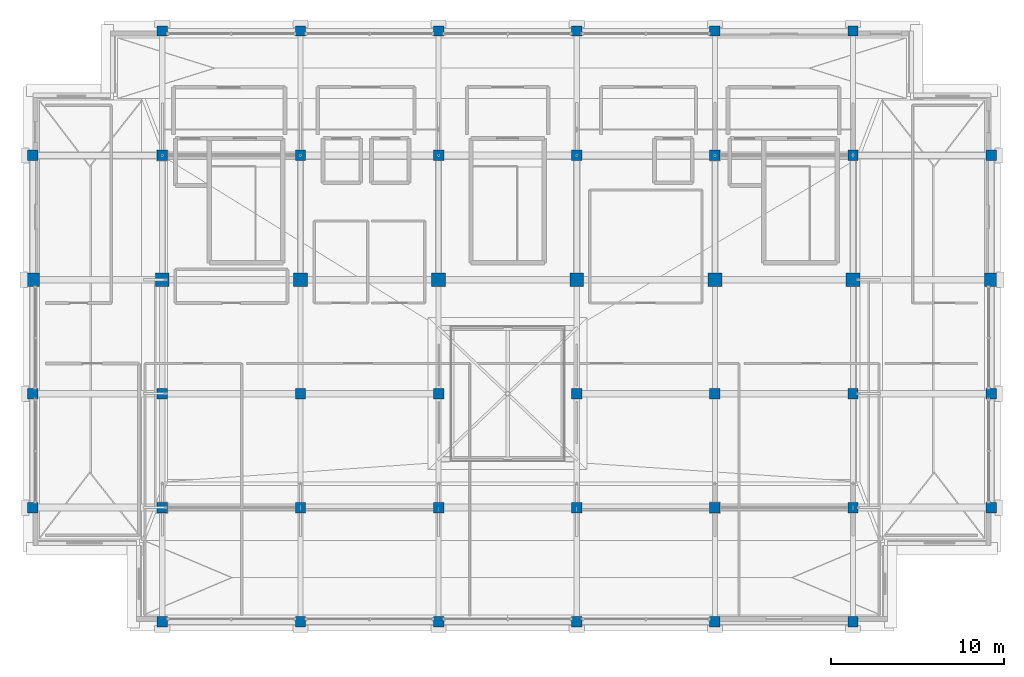
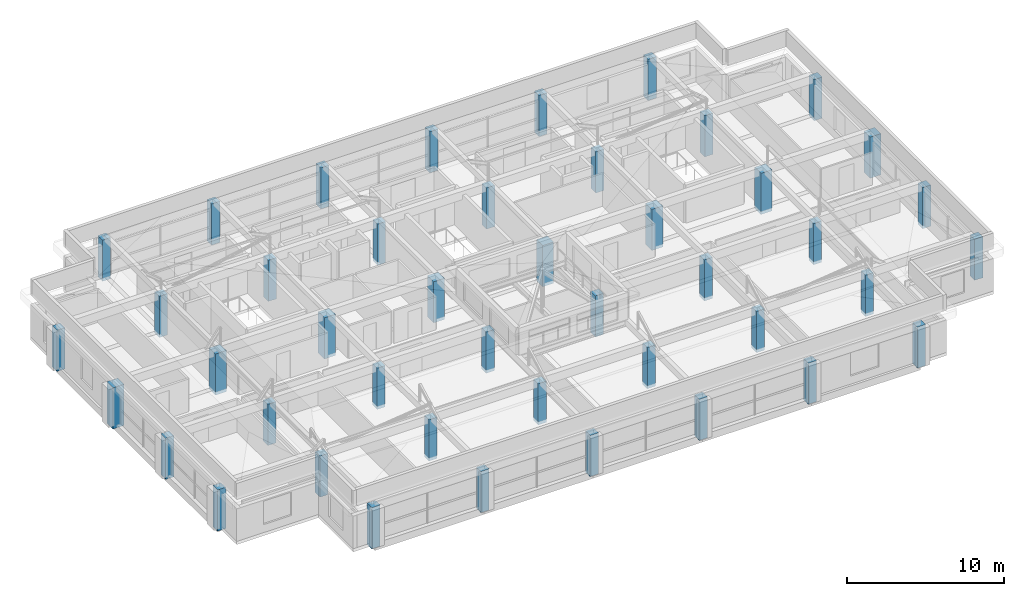
# One storey, part 1 of 39: 44 columns.
"""IFC4 building model written with IfcOpenShell, lengths in metres."""

from ifc_helpers import new_model, si_unit, direction, frame, origin, origin_2d, place, context, subcontext, project, spatial, rectangle, extrude, material, material_profile, profile_set, type_object, element, save


model = new_model("IFC4")

# Units and contexts
model_context = context("Model", 3, precision=1e-05, world=origin(), true_north=direction((0.0, 1.0)))
body_context = subcontext(model_context, "Body", "Model", "MODEL_VIEW")
ifc_project = project(units=[si_unit("LENGTHUNIT", "METRE"), si_unit("AREAUNIT", "SQUARE_METRE"), si_unit("VOLUMEUNIT", "CUBIC_METRE"), si_unit("PLANEANGLEUNIT", "RADIAN"), si_unit("MASSUNIT", "GRAM", prefix="KILO")], contexts=[model_context])

# Site, building, storey
site_placement = place(None, origin())
site = spatial("IfcSite", under=ifc_project, at=site_placement, CompositionType="ELEMENT")
building_placement = place(site_placement, origin())
building = spatial("IfcBuilding", under=site, at=building_placement, Name="Akrevak Sports Hall", CompositionType="ELEMENT")
storey_placement = place(building_placement, frame((0.0, 0.0, 66.550048828125)))
storey = spatial("IfcBuildingStorey", under=building, at=storey_placement, Name="L17", CompositionType="ELEMENT", Elevation=66.550048828125)

# Columns
ifc_material = material(Name="Concrete C40/50", Category="concrete")
ifc_material_profile_1 = material_profile(ifc_material, rectangle(XDim=0.60009765625, YDim=0.60009765625, at=origin_2d()), Name="RC 600x600", Category="concrete")
ifc_profile_set_1 = profile_set([ifc_material_profile_1], Name="Concrete C40/50")
column_type_1 = type_object("IfcColumnType", Name="STR-COL-RC600", PredefinedType="COLUMN", material=ifc_profile_set_1)
for number, where, z_axis, x_axis, name in (
    (1, (52.5, 42.0, -0.239990234375), (0.0, 0.0, 1.0), (1.0, 0.0, 0.0), "Column 8/G (L17)"),
    (2, (52.5, 48.60009765625, -0.239990234375), (0.0, 0.0, 1.0), (1.0, 0.0, 0.0), "Column 8/H (L17)"),
    (3, (52.5, 62.39990234375, -0.239990234375), (0.0, 0.0, 1.0), (1.0, 0.0, 0.0), "Column 8/J (L17)"),
    (4, (60.0, 35.39990234375, -0.239990234375), (0.0, 0.0, 1.0), (1.0, 0.0, 0.0), "Column 9/F (L17)"),
    (5, (60.0, 42.0, -0.239990234375), (0.0, 0.0, 1.0), (1.0, 0.0, 0.0), "Column 9/G (L17)"),
    (6, (60.0, 48.60009765625, -0.239990234375), (0.0, 0.0, 1.0), (1.0, 0.0, 0.0), "Column 9/H (L17)"),
    (7, (60.0, 62.39990234375, -0.239990234375), (0.0, 0.0, 1.0), (1.0, 0.0, 0.0), "Column 9/J (L17)"),
    (8, (60.0, 69.60009765625, -0.239990234375), (0.0, 0.0, 1.0), (1.0, 0.0, 0.0), "Column 9/K (L17)"),
    (9, (68.0, 35.39990234375, -0.239990234375), (0.0, 0.0, 1.0), (1.0, 0.0, 0.0), "Column 10/F (L17)"),
    (10, (68.0, 42.0, -0.239990234375), (0.0, 0.0, 1.0), (1.0, 0.0, 0.0), "Column 10/G (L17)"),
    (11, (68.0, 48.60009765625, -0.239990234375), (0.0, 0.0, 1.0), (1.0, 0.0, 0.0), "Column 10/H (L17)"),
    (12, (68.0, 62.39990234375, -0.239990234375), (0.0, 0.0, 1.0), (1.0, 0.0, 0.0), "Column 10/J (L17)"),
    (13, (68.0, 69.60009765625, -0.239990234375), (0.0, 0.0, 1.0), (1.0, 0.0, 0.0), "Column 10/K (L17)"),
    (14, (76.0, 35.39990234375, -0.239990234375), (0.0, 0.0, 1.0), (1.0, 0.0, 0.0), "Column 11/F (L17)"),
    (15, (76.0, 42.0, -0.239990234375), (0.0, 0.0, 1.0), (1.0, 0.0, 0.0), "Column 11/G (L17)"),
    (16, (76.0, 48.60009765625, -0.239990234375), (0.0, 0.0, 1.0), (1.0, 0.0, 0.0), "Column 11/H (L17)"),
    (17, (76.0, 62.39990234375, -0.239990234375), (0.0, 0.0, 1.0), (1.0, 0.0, 0.0), "Column 11/J (L17)"),
    (18, (76.0, 69.60009765625, -0.239990234375), (0.0, 0.0, 1.0), (1.0, 0.0, 0.0), "Column 11/K (L17)"),
    (19, (84.0, 35.39990234375, -0.239990234375), (0.0, 0.0, 1.0), (1.0, 0.0, 0.0), "Column 12/F (L17)"),
    (20, (84.0, 42.0, -0.239990234375), (0.0, 0.0, 1.0), (1.0, 0.0, 0.0), "Column 12/G (L17)"),
    (21, (84.0, 48.60009765625, -0.239990234375), (0.0, 0.0, 1.0), (1.0, 0.0, 0.0), "Column 12/H (L17)"),
    (22, (84.0, 62.39990234375, -0.239990234375), (0.0, 0.0, 1.0), (1.0, 0.0, 0.0), "Column 12/J (L17)"),
    (23, (84.0, 69.60009765625, -0.239990234375), (0.0, 0.0, 1.0), (1.0, 0.0, 0.0), "Column 12/K (L17)"),
    (24, (92.0, 35.39990234375, -0.239990234375), (0.0, 0.0, 1.0), (1.0, 0.0, 0.0), "Column 13/F (L17)"),
    (25, (92.0, 42.0, -0.239990234375), (0.0, 0.0, 1.0), (1.0, 0.0, 0.0), "Column 13/G (L17)"),
    (26, (92.0, 48.60009765625, -0.239990234375), (0.0, 0.0, 1.0), (1.0, 0.0, 0.0), "Column 13/H (L17)"),
    (27, (92.0, 62.39990234375, -0.239990234375), (0.0, 0.0, 1.0), (1.0, 0.0, 0.0), "Column 13/J (L17)"),
    (28, (92.0, 69.60009765625, -0.239990234375), (0.0, 0.0, 1.0), (1.0, 0.0, 0.0), "Column 13/K (L17)"),
    (29, (100.0, 35.39990234375, -0.239990234375), (0.0, 0.0, 1.0), (1.0, 0.0, 0.0), "Column 14/F (L17)"),
    (30, (100.0, 42.0, -0.239990234375), (0.0, 0.0, 1.0), (1.0, 0.0, 0.0), "Column 14/G (L17)"),
    (31, (100.0, 48.60009765625, -0.239990234375), (0.0, 0.0, 1.0), (1.0, 0.0, 0.0), "Column 14/H (L17)"),
    (32, (100.0, 62.39990234375, -0.239990234375), (0.0, 0.0, 1.0), (1.0, 0.0, 0.0), "Column 14/J (L17)"),
    (33, (100.0, 69.60009765625, -0.239990234375), (0.0, 0.0, 1.0), (1.0, 0.0, 0.0), "Column 14/K (L17)"),
    (34, (108.0, 42.0, -0.239990234375), (0.0, 0.0, 1.0), (1.0, 0.0, 0.0), "Column 15/G (L17)"),
    (35, (108.0, 48.60009765625, -0.239990234375), (0.0, 0.0, 1.0), (1.0, 0.0, 0.0), "Column 15/H (L17)"),
    (36, (108.0, 62.39990234375, -0.239990234375), (0.0, 0.0, 1.0), (1.0, 0.0, 0.0), "Column 15/J (L17)"),
):
    element("IfcColumn", number, at=place(storey_placement, frame(where, z_axis=z_axis, x_axis=x_axis)), inside=storey, type_object=column_type_1, Name=name, PredefinedType="COLUMN", context=body_context, shape_type="SweptSolid", body=[
        extrude(rectangle(XDim=0.60009765625, YDim=0.60009765625, at=origin_2d()), origin(), (0.0, 0.0, 1.0), 3.18994140625),
    ])
ifc_material_profile_2 = material_profile(ifc_material, rectangle(XDim=0.800048828125, YDim=0.800048828125, at=origin_2d()), Name="RC 800x800", Category="concrete")
ifc_profile_set_2 = profile_set([ifc_material_profile_2], Name="Concrete C40/50")
column_type_2 = type_object("IfcColumnType", Name="STR-COL-RC800", PredefinedType="COLUMN", material=ifc_profile_set_2)
for number, where, z_axis, x_axis, name in (
    (37, (52.5, 55.199951171875, -0.239990234375), (0.0, 0.0, 1.0), (1.0, 0.0, 0.0), "Column 8/I (L17)"),
    (38, (60.0, 55.199951171875, -0.239990234375), (0.0, 0.0, 1.0), (1.0, 0.0, 0.0), "Column 9/I (L17)"),
    (39, (68.0, 55.199951171875, -0.239990234375), (0.0, 0.0, 1.0), (1.0, 0.0, 0.0), "Column 10/I (L17)"),
    (40, (76.0, 55.199951171875, -0.239990234375), (0.0, 0.0, 1.0), (1.0, 0.0, 0.0), "Column 11/I (L17)"),
    (41, (84.0, 55.199951171875, -0.239990234375), (0.0, 0.0, 1.0), (1.0, 0.0, 0.0), "Column 12/I (L17)"),
    (42, (92.0, 55.199951171875, -0.239990234375), (0.0, 0.0, 1.0), (1.0, 0.0, 0.0), "Column 13/I (L17)"),
    (43, (100.0, 55.199951171875, -0.239990234375), (0.0, 0.0, 1.0), (1.0, 0.0, 0.0), "Column 14/I (L17)"),
    (44, (108.0, 55.199951171875, -0.239990234375), (0.0, 0.0, 1.0), (1.0, 0.0, 0.0), "Column 15/I (L17)"),
):
    element("IfcColumn", number, at=place(storey_placement, frame(where, z_axis=z_axis, x_axis=x_axis)), inside=storey, type_object=column_type_2, Name=name, PredefinedType="COLUMN", context=body_context, shape_type="SweptSolid", body=[
        extrude(rectangle(XDim=0.800048828125, YDim=0.800048828125, at=origin_2d()), origin(), (0.0, 0.0, 1.0), 3.18994140625),
    ])

save(model, "model.ifc")
